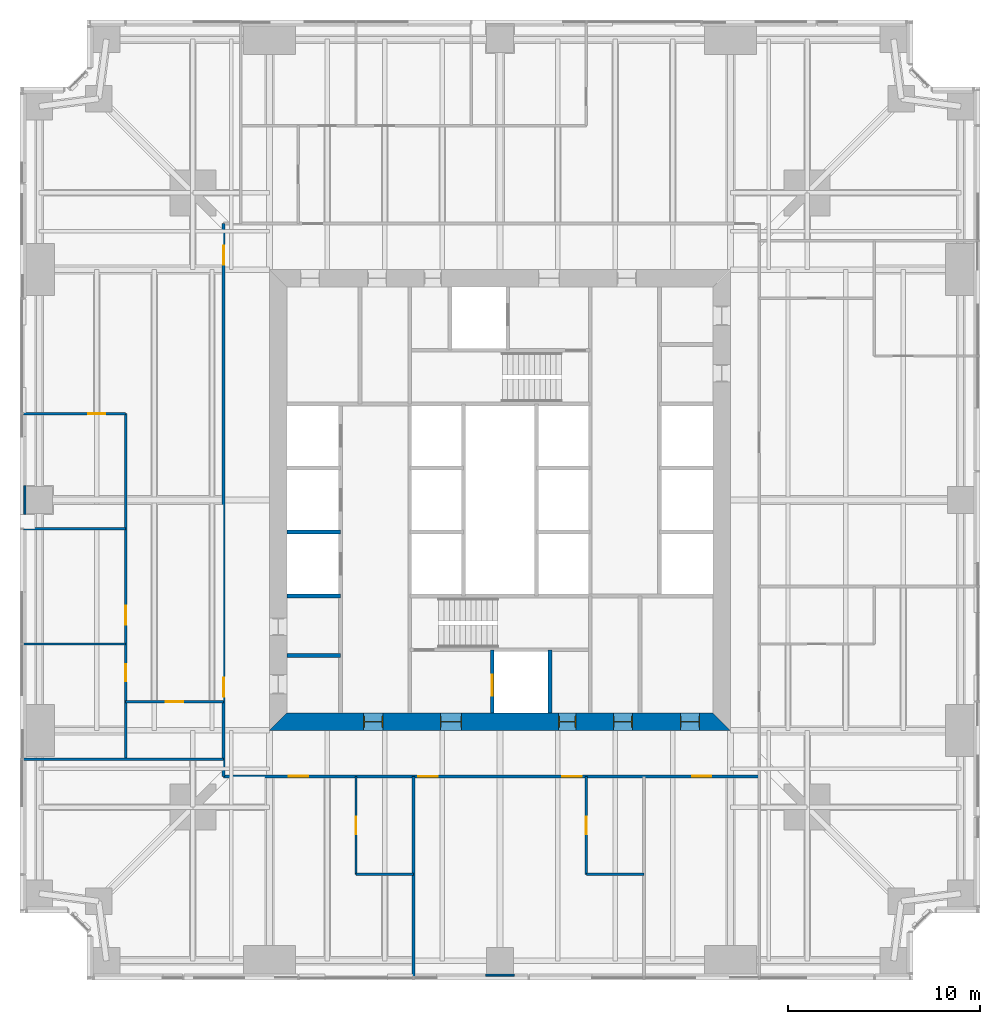
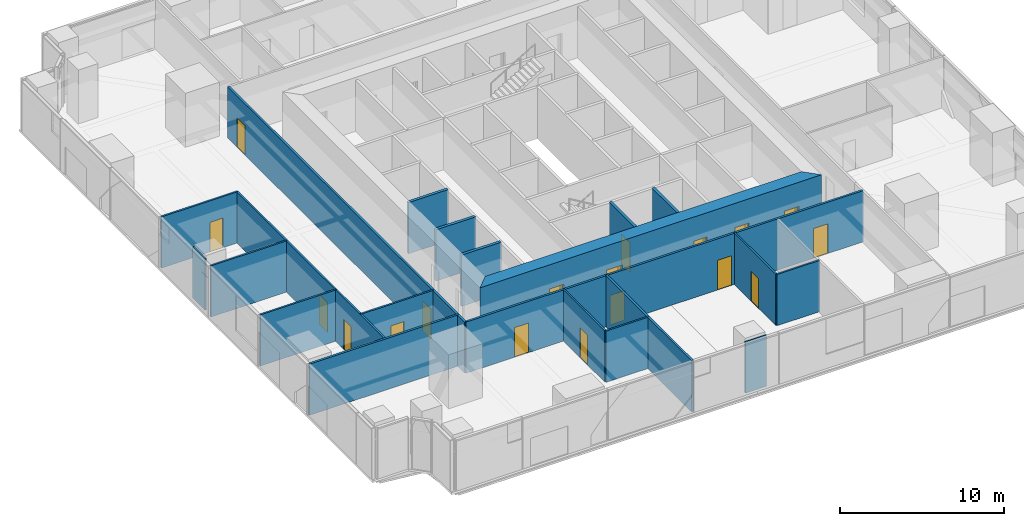
# One storey, part 9 of 14: 21 walls, 18 doors, 18 openings.
"""IFC4 building model written with IfcOpenShell, lengths in metres."""

from ifc_helpers import new_model, si_unit, direction, frame, frame_2d, origin, place, context, subcontext, project, spatial, polyline, rectangle, outline, extrude, material, layer, layer_set, type_object, element, fill, save


model = new_model("IFC4")

# Units and contexts
model_context = context("Model", 3, precision=1e-05, world=origin(), true_north=direction((0.0, 1.0)))
body_context = subcontext(model_context, "Body", "Model", "MODEL_VIEW")
ifc_project = project(units=[si_unit("LENGTHUNIT", "METRE"), si_unit("AREAUNIT", "SQUARE_METRE"), si_unit("VOLUMEUNIT", "CUBIC_METRE"), si_unit("PLANEANGLEUNIT", "RADIAN"), si_unit("MASSUNIT", "GRAM", prefix="KILO")], contexts=[model_context])

# Site, building, storey
site_placement = place(None, origin())
site = spatial("IfcSite", under=ifc_project, at=site_placement, CompositionType="ELEMENT")
building_placement = place(site_placement, origin())
building = spatial("IfcBuilding", under=site, at=building_placement, Name="Fenwick Lantern Interchange", CompositionType="ELEMENT")
storey_placement = place(building_placement, frame((0.0, 0.0, 87.0)))
storey = spatial("IfcBuildingStorey", under=building, at=storey_placement, Name="L20", CompositionType="ELEMENT", Elevation=87.0)

# Walls
ifc_material_1 = material(Name="Fire-rated gypsum board encasement on steel studs, 2 hour", Category="steel")
ifc_layer_1 = layer(ifc_material_1, 1.5)
ifc_layer_set_1 = layer_set([ifc_layer_1], Name="COLUMN PIER 1500")
wall_type_1 = type_object("IfcWallType", Name="COLUMN PIER 1500", PredefinedType="PARTITIONING", material=ifc_layer_set_1)
for number, where, z_axis, x_axis, name in (
    (1, (25.0, 0.199951171875, 0.0), (0.0, 0.0, 1.0), (0.0, 1.0, 0.0), "L20/W/PIER/CS3"),
    (2, (0.199951171875, 25.0, 0.0), (0.0, 0.0, 1.0), (1.0, 0.0, 0.0), "L20/W/PIER/CW3"),
):
    element("IfcWall", number, at=place(storey_placement, frame(where, z_axis=z_axis, x_axis=x_axis)), inside=storey, type_object=wall_type_1, Name=name, PredefinedType="PARTITIONING", context=body_context, shape_type="SweptSolid", body=[
        extrude(rectangle(XDim=0.10009765625, YDim=1.5, at=frame_2d((0.050048828125, 0.0))), origin(), (0.0, 0.0, 1.0), 3.800048828125),
    ])
ifc_material_2 = material(Name="Concrete masonry ASTM C90 Grade N", Category="masonry")
ifc_layer_2 = layer(ifc_material_2, 0.199951171875)
ifc_layer_set_2 = layer_set([ifc_layer_2], Name="Concrete masonry ASTM C90 Grade N")
wall_type_2 = type_object("IfcWallType", Name="CORE PARTITION 200", PredefinedType="PARTITIONING", material=ifc_layer_set_2)
for number, where, z_axis, x_axis, name in (
    (3, (13.89990234375, 20.0, 0.0), (0.0, 0.0, 1.0), (1.0, 0.0, 0.0), "L20/W/CORES/c2"),
    (4, (13.89990234375, 23.333251953125, 0.0), (0.0, 0.0, 1.0), (1.0, 0.0, 0.0), "L20/W/CORES/d1"),
):
    element("IfcWall", number, at=place(storey_placement, frame(where, z_axis=z_axis, x_axis=x_axis)), inside=storey, type_object=wall_type_2, Name=name, PredefinedType="PARTITIONING", context=body_context, shape_type="SweptSolid", body=[
        extrude(rectangle(XDim=2.800048828125, YDim=0.199951171875, at=frame_2d((1.39990234375, 0.0))), origin(), (0.0, 0.0, 1.0), 3.800048828125),
    ])

# Wall, opening, door
wall_1_placement = place(storey_placement, frame((24.60009765625, 13.89990234375, 0.0), z_axis=(0.0, 0.0, 1.0), x_axis=(0.0, 1.0, 0.0)))
wall_1 = element("IfcWall", 5, at=wall_1_placement, inside=storey, type_object=wall_type_2, Name="L20/W/CORES/h1", PredefinedType="PARTITIONING", context=body_context, shape_type="SweptSolid", body=[
    extrude(rectangle(XDim=3.300048828125, YDim=0.199951171875, at=frame_2d((1.64990234375, 0.0))), origin(), (0.0, 0.0, 1.0), 3.800048828125),
])
opening_1_placement = place(wall_1_placement, frame((0.89990234375, 0.0, 0.0)))
opening_1 = element("IfcOpeningElement", 6, at=opening_1_placement, cuts=wall_1, Name="Opening LD-FL1", PredefinedType="OPENING", context=body_context, shape_type="SweptSolid", body=[
    extrude(rectangle(XDim=1.10009765625, YDim=2.199951171875, at=frame_2d((0.550048828125, 1.10009765625))), frame((0.0, 0.10986328125, 0.0), z_axis=(0.0, -1.0, 0.0), x_axis=(1.0, 0.0, 0.0)), (0.0, 0.0, 1.0), 0.219970703125),
])
ifc_material_3 = material(Name="Steel door and frame", Category="steel")
door_type_1 = type_object("IfcDoorType", Name="LIFT LANDING DOOR 1100 X 2200", OperationType="DOUBLE_DOOR_SLIDING", PredefinedType="DOOR", material=ifc_material_3)
door_1_placement = place(opening_1_placement, origin())
door_1 = element("IfcDoor", 7, at=door_1_placement, inside=storey, type_object=door_type_1, Name="Lift landing door FL1", OperationType="DOUBLE_DOOR_SLIDING", OverallHeight=2.199951171875, OverallWidth=1.10009765625, PredefinedType="DOOR", context=body_context, shape_type="SweptSolid", body=[
    extrude(rectangle(XDim=1.10009765625, YDim=2.199951171875, at=frame_2d((0.550048828125, 1.10009765625))), frame((0.0, 0.02490234375, 0.0), z_axis=(0.0, -1.0, 0.0), x_axis=(1.0, 0.0, 0.0)), (0.0, 0.0, 1.0), 0.050048828125),
])
fill(opening_1, door_1)

# Walls
wall_2_placement = place(storey_placement, frame((27.60009765625, 13.89990234375, 0.0), z_axis=(0.0, 0.0, 1.0), x_axis=(0.0, 1.0, 0.0)))
element("IfcWall", 8, at=wall_2_placement, inside=storey, type_object=wall_type_2, Name="L20/W/CORES/h2", PredefinedType="PARTITIONING", context=body_context, shape_type="SweptSolid", body=[
    extrude(rectangle(XDim=3.300048828125, YDim=0.199951171875, at=frame_2d((1.64990234375, 0.0))), origin(), (0.0, 0.0, 1.0), 3.800048828125),
])
wall_3_placement = place(storey_placement, frame((13.89990234375, 16.89990234375, 0.0), z_axis=(0.0, 0.0, 1.0), x_axis=(1.0, 0.0, 0.0)))
element("IfcWall", 9, at=wall_3_placement, inside=storey, type_object=wall_type_2, Name="L20/W/CORES/p1", PredefinedType="PARTITIONING", context=body_context, shape_type="SweptSolid", body=[
    extrude(rectangle(XDim=2.800048828125, YDim=0.199951171875, at=frame_2d((1.39990234375, 0.0))), origin(), (0.0, 0.0, 1.0), 3.800048828125),
])

# Wall, openings, doors
ifc_material_4 = material(Name="Concrete f'c 70 MPa", Category="concrete")
ifc_layer_3 = layer(ifc_material_4, 0.89990234375)
ifc_layer_set_3 = layer_set([ifc_layer_3], Name="CORE WALL 900")
wall_type_3 = type_object("IfcWallType", Name="CORE WALL 900", PredefinedType="SHEAR", material=ifc_layer_set_3)
wall_4_placement = place(storey_placement, frame((13.0, 13.449951171875, 0.0), z_axis=(0.0, 0.0, 1.0), x_axis=(1.0, 0.0, 0.0)))
wall_4 = element("IfcWall", 10, at=wall_4_placement, inside=storey, type_object=wall_type_3, Name="L20/CORE/S", PredefinedType="SHEAR", context=body_context, shape_type="SweptSolid", body=[
    extrude(outline(polyline([(0.0, -0.449951171875), (24.0, -0.449951171875), (23.10009765625, 0.449951171875), (0.89990234375, 0.449951171875), (0.0, -0.449951171875)])), origin(), (0.0, 0.0, 1.0), 4.0),
])
opening_2_placement = place(wall_4_placement, frame((4.89990234375, 0.0, 0.0)))
opening_2 = element("IfcOpeningElement", 11, at=opening_2_placement, cuts=wall_4, Name="Opening L20-D001", PredefinedType="OPENING", context=body_context, shape_type="SweptSolid", body=[
    extrude(rectangle(XDim=1.0, YDim=2.199951171875, at=frame_2d((0.5, 1.10009765625))), frame((0.0, 0.4599609375, 0.0), z_axis=(0.0, -1.0, 0.0), x_axis=(1.0, 0.0, 0.0)), (0.0, 0.0, 1.0), 0.919921875),
])
opening_3_placement = place(wall_4_placement, frame((8.89990234375, 0.0, 0.0)))
opening_3 = element("IfcOpeningElement", 12, at=opening_3_placement, cuts=wall_4, Name="Opening L20-D002", PredefinedType="OPENING", context=body_context, shape_type="SweptSolid", body=[
    extrude(rectangle(XDim=1.10009765625, YDim=2.199951171875, at=frame_2d((0.550048828125, 1.10009765625))), frame((0.0, 0.4599609375, 0.0), z_axis=(0.0, -1.0, 0.0), x_axis=(1.0, 0.0, 0.0)), (0.0, 0.0, 1.0), 0.919921875),
])
opening_4_placement = place(wall_4_placement, frame((15.050048828125, 0.0, 0.0)))
opening_4 = element("IfcOpeningElement", 13, at=opening_4_placement, cuts=wall_4, Name="Opening L20-D004", PredefinedType="OPENING", context=body_context, shape_type="SweptSolid", body=[
    extrude(rectangle(XDim=0.89990234375, YDim=2.199951171875, at=frame_2d((0.449951171875, 1.10009765625))), frame((0.0, 0.4599609375, 0.0), z_axis=(0.0, -1.0, 0.0), x_axis=(1.0, 0.0, 0.0)), (0.0, 0.0, 1.0), 0.919921875),
])
opening_5_placement = place(wall_4_placement, frame((17.89990234375, 0.0, 0.0)))
opening_5 = element("IfcOpeningElement", 14, at=opening_5_placement, cuts=wall_4, Name="Opening L20-D005", PredefinedType="OPENING", context=body_context, shape_type="SweptSolid", body=[
    extrude(rectangle(XDim=1.0, YDim=2.199951171875, at=frame_2d((0.5, 1.10009765625))), frame((0.0, 0.4599609375, 0.0), z_axis=(0.0, -1.0, 0.0), x_axis=(1.0, 0.0, 0.0)), (0.0, 0.0, 1.0), 0.919921875),
])
opening_6_placement = place(wall_4_placement, frame((21.39990234375, 0.0, 0.0)))
opening_6 = element("IfcOpeningElement", 15, at=opening_6_placement, cuts=wall_4, Name="Opening L20-D006", PredefinedType="OPENING", context=body_context, shape_type="SweptSolid", body=[
    extrude(rectangle(XDim=1.0, YDim=2.199951171875, at=frame_2d((0.5, 1.10009765625))), frame((0.0, 0.4599609375, 0.0), z_axis=(0.0, -1.0, 0.0), x_axis=(1.0, 0.0, 0.0)), (0.0, 0.0, 1.0), 0.919921875),
])
door_type_2 = type_object("IfcDoorType", Name="CORE LOBBY DOOR 1000 X 2200", OperationType="SINGLE_SWING_LEFT", PredefinedType="DOOR", material=ifc_material_3)
door_2_placement = place(opening_2_placement, origin())
door_2 = element("IfcDoor", 16, at=door_2_placement, inside=storey, type_object=door_type_2, Name="Core lobby door", OperationType="SINGLE_SWING_LEFT", OverallHeight=2.199951171875, OverallWidth=1.0, PredefinedType="DOOR", context=body_context, shape_type="SweptSolid", body=[
    extrude(rectangle(XDim=1.0, YDim=2.199951171875, at=frame_2d((0.5, 1.10009765625))), frame((0.0, 0.02490234375, 0.0), z_axis=(0.0, -1.0, 0.0), x_axis=(1.0, 0.0, 0.0)), (0.0, 0.0, 1.0), 0.050048828125),
    extrude(outline(polyline([(0.0, 0.0), (0.0400390625, 0.0), (0.0400390625, 2.159912109375), (0.9599609375, 2.159912109375), (0.9599609375, 0.0), (1.0, 0.0), (1.0, 2.199951171875), (0.0, 2.199951171875), (0.0, 0.0)])), frame((0.0, 0.300048828125, 0.0), z_axis=(0.0, -1.0, 0.0), x_axis=(1.0, 0.0, 0.0)), (0.0, 0.0, 1.0), 0.60009765625),
])
fill(opening_2, door_2)
door_type_3 = type_object("IfcDoorType", Name="FIRE LOBBY DOOR 1100 X 2200", OperationType="SINGLE_SWING_LEFT", PredefinedType="DOOR", material=ifc_material_3)
door_3_placement = place(opening_3_placement, origin())
door_3 = element("IfcDoor", 17, at=door_3_placement, inside=storey, type_object=door_type_3, Name="Fire lobby door", OperationType="SINGLE_SWING_LEFT", OverallHeight=2.199951171875, OverallWidth=1.10009765625, PredefinedType="DOOR", context=body_context, shape_type="SweptSolid", body=[
    extrude(rectangle(XDim=1.10009765625, YDim=2.199951171875, at=frame_2d((0.550048828125, 1.10009765625))), frame((0.0, 0.02490234375, 0.0), z_axis=(0.0, -1.0, 0.0), x_axis=(1.0, 0.0, 0.0)), (0.0, 0.0, 1.0), 0.050048828125),
    extrude(outline(polyline([(0.0, 0.0), (0.0400390625, 0.0), (0.0400390625, 2.159912109375), (1.06005859375, 2.159912109375), (1.06005859375, 0.0), (1.10009765625, 0.0), (1.10009765625, 2.199951171875), (0.0, 2.199951171875), (0.0, 0.0)])), frame((0.0, 0.300048828125, 0.0), z_axis=(0.0, -1.0, 0.0), x_axis=(1.0, 0.0, 0.0)), (0.0, 0.0, 1.0), 0.60009765625),
])
fill(opening_3, door_3)
door_type_4 = type_object("IfcDoorType", Name="SERVICE DOOR 900 X 2200", OperationType="SINGLE_SWING_LEFT", PredefinedType="DOOR", material=ifc_material_3)
door_4_placement = place(opening_4_placement, origin())
door_4 = element("IfcDoor", 18, at=door_4_placement, inside=storey, type_object=door_type_4, Name="Service door", OperationType="SINGLE_SWING_LEFT", OverallHeight=2.199951171875, OverallWidth=0.89990234375, PredefinedType="DOOR", context=body_context, shape_type="SweptSolid", body=[
    extrude(rectangle(XDim=0.89990234375, YDim=2.199951171875, at=frame_2d((0.449951171875, 1.10009765625))), frame((0.0, 0.02490234375, 0.0), z_axis=(0.0, -1.0, 0.0), x_axis=(1.0, 0.0, 0.0)), (0.0, 0.0, 1.0), 0.050048828125),
    extrude(outline(polyline([(0.0, 0.0), (0.0400390625, 0.0), (0.0400390625, 2.159912109375), (0.85986328125, 2.159912109375), (0.85986328125, 0.0), (0.89990234375, 0.0), (0.89990234375, 2.199951171875), (0.0, 2.199951171875), (0.0, 0.0)])), frame((0.0, 0.300048828125, 0.0), z_axis=(0.0, -1.0, 0.0), x_axis=(1.0, 0.0, 0.0)), (0.0, 0.0, 1.0), 0.60009765625),
])
fill(opening_4, door_4)
ifc_material_5 = material(Name="Hardwood door and steel frame", Category="steel")
door_type_5 = type_object("IfcDoorType", Name="WC DOOR 1000 X 2200", OperationType="SINGLE_SWING_LEFT", PredefinedType="DOOR", material=ifc_material_5)
door_5_placement = place(opening_5_placement, origin())
door_5 = element("IfcDoor", 19, at=door_5_placement, inside=storey, type_object=door_type_5, Name="Wc door", OperationType="SINGLE_SWING_RIGHT", OverallHeight=2.199951171875, OverallWidth=1.0, PredefinedType="DOOR", context=body_context, shape_type="SweptSolid", body=[
    extrude(rectangle(XDim=1.0, YDim=2.199951171875, at=frame_2d((0.5, 1.10009765625))), frame((0.0, 0.02490234375, 0.0), z_axis=(0.0, -1.0, 0.0), x_axis=(1.0, 0.0, 0.0)), (0.0, 0.0, 1.0), 0.050048828125),
    extrude(outline(polyline([(0.0, 0.0), (0.0400390625, 0.0), (0.0400390625, 2.159912109375), (0.9599609375, 2.159912109375), (0.9599609375, 0.0), (1.0, 0.0), (1.0, 2.199951171875), (0.0, 2.199951171875), (0.0, 0.0)])), frame((0.0, 0.300048828125, 0.0), z_axis=(0.0, -1.0, 0.0), x_axis=(1.0, 0.0, 0.0)), (0.0, 0.0, 1.0), 0.60009765625),
])
fill(opening_5, door_5)
door_6_placement = place(opening_6_placement, origin())
door_6 = element("IfcDoor", 20, at=door_6_placement, inside=storey, type_object=door_type_5, Name="Wc door", OperationType="SINGLE_SWING_RIGHT", OverallHeight=2.199951171875, OverallWidth=1.0, PredefinedType="DOOR", context=body_context, shape_type="SweptSolid", body=[
    extrude(rectangle(XDim=1.0, YDim=2.199951171875, at=frame_2d((0.5, 1.10009765625))), frame((0.0, 0.02490234375, 0.0), z_axis=(0.0, -1.0, 0.0), x_axis=(1.0, 0.0, 0.0)), (0.0, 0.0, 1.0), 0.050048828125),
    extrude(outline(polyline([(0.0, 0.0), (0.0400390625, 0.0), (0.0400390625, 2.159912109375), (0.9599609375, 2.159912109375), (0.9599609375, 0.0), (1.0, 0.0), (1.0, 2.199951171875), (0.0, 2.199951171875), (0.0, 0.0)])), frame((0.0, 0.300048828125, 0.0), z_axis=(0.0, -1.0, 0.0), x_axis=(1.0, 0.0, 0.0)), (0.0, 0.0, 1.0), 0.60009765625),
])
fill(opening_6, door_6)

ifc_material_6 = material(Name="Gypsum board on steel studs, 1 hour", Category="steel")
ifc_layer_4 = layer(ifc_material_6, 0.14990234375)
ifc_layer_set_4 = layer_set([ifc_layer_4], Name="CORRIDOR WALL 150")
wall_type_4 = type_object("IfcWallType", Name="CORRIDOR WALL 150", PredefinedType="PARTITIONING", material=ifc_layer_set_4)
wall_5_placement = place(storey_placement, frame((10.60009765625, 10.60009765625, 0.0), z_axis=(0.0, 0.0, 1.0), x_axis=(1.0, 0.0, 0.0)))
wall_5 = element("IfcWall", 21, at=wall_5_placement, inside=storey, type_object=wall_type_4, Name="L20/W/OFF/S/CW2", PredefinedType="PARTITIONING", context=body_context, shape_type="SweptSolid", body=[
    extrude(rectangle(XDim=27.89990234375, YDim=0.14990234375, at=frame_2d((13.949951171875, 0.0))), origin(), (0.0, 0.0, 1.0), 3.800048828125),
])
opening_7_placement = place(wall_5_placement, frame((3.39990234375, 0.0, 0.0)))
opening_7 = element("IfcOpeningElement", 22, at=opening_7_placement, cuts=wall_5, Name="Opening L20-D017", PredefinedType="OPENING", context=body_context, shape_type="SweptSolid", body=[
    extrude(rectangle(XDim=1.0, YDim=2.199951171875, at=frame_2d((0.5, 1.10009765625))), frame((0.0, 0.0849609375, 0.0), z_axis=(0.0, -1.0, 0.0), x_axis=(1.0, 0.0, 0.0)), (0.0, 0.0, 1.0), 0.169921875),
])
opening_8_placement = place(wall_5_placement, frame((10.14990234375, 0.0, 0.0)))
opening_8 = element("IfcOpeningElement", 23, at=opening_8_placement, cuts=wall_5, Name="Opening L20-D019", PredefinedType="OPENING", context=body_context, shape_type="SweptSolid", body=[
    extrude(rectangle(XDim=1.0, YDim=2.199951171875, at=frame_2d((0.5, 1.10009765625))), frame((0.0, 0.0849609375, 0.0), z_axis=(0.0, -1.0, 0.0), x_axis=(1.0, 0.0, 0.0)), (0.0, 0.0, 1.0), 0.169921875),
])
opening_9_placement = place(wall_5_placement, frame((17.64990234375, 0.0, 0.0)))
opening_9 = element("IfcOpeningElement", 24, at=opening_9_placement, cuts=wall_5, Name="Opening L20-D020", PredefinedType="OPENING", context=body_context, shape_type="SweptSolid", body=[
    extrude(rectangle(XDim=1.0, YDim=2.199951171875, at=frame_2d((0.5, 1.10009765625))), frame((0.0, 0.0849609375, 0.0), z_axis=(0.0, -1.0, 0.0), x_axis=(1.0, 0.0, 0.0)), (0.0, 0.0, 1.0), 0.169921875),
])
opening_10_placement = place(wall_5_placement, frame((24.39990234375, 0.0, 0.0)))
opening_10 = element("IfcOpeningElement", 25, at=opening_10_placement, cuts=wall_5, Name="Opening L20-D022", PredefinedType="OPENING", context=body_context, shape_type="SweptSolid", body=[
    extrude(rectangle(XDim=1.0, YDim=2.199951171875, at=frame_2d((0.5, 1.10009765625))), frame((0.0, 0.0849609375, 0.0), z_axis=(0.0, -1.0, 0.0), x_axis=(1.0, 0.0, 0.0)), (0.0, 0.0, 1.0), 0.169921875),
])
door_type_6 = type_object("IfcDoorType", Name="SUITE ENTRANCE DOOR 1000 X 2200", OperationType="SINGLE_SWING_LEFT", PredefinedType="DOOR", material=ifc_material_3)
door_7_placement = place(opening_7_placement, frame((1.0, 0.0, 0.0), z_axis=(0.0, 0.0, 1.0), x_axis=(-1.0, 0.0, 0.0)))
door_7 = element("IfcDoor", 26, at=door_7_placement, inside=storey, type_object=door_type_6, Name="Suite entrance door", OperationType="SINGLE_SWING_LEFT", OverallHeight=2.199951171875, OverallWidth=1.0, PredefinedType="DOOR", context=body_context, shape_type="SweptSolid", body=[
    extrude(rectangle(XDim=1.0, YDim=2.199951171875, at=frame_2d((0.5, 1.10009765625))), frame((0.0, 0.02490234375, 0.0), z_axis=(0.0, -1.0, 0.0), x_axis=(1.0, 0.0, 0.0)), (0.0, 0.0, 1.0), 0.050048828125),
])
fill(opening_7, door_7)
door_8_placement = place(opening_8_placement, origin())
door_8 = element("IfcDoor", 27, at=door_8_placement, inside=storey, type_object=door_type_6, Name="Suite entrance door", OperationType="SINGLE_SWING_LEFT", OverallHeight=2.199951171875, OverallWidth=1.0, PredefinedType="DOOR", context=body_context, shape_type="SweptSolid", body=[
    extrude(rectangle(XDim=1.0, YDim=2.199951171875, at=frame_2d((0.5, 1.10009765625))), frame((0.0, 0.02490234375, 0.0), z_axis=(0.0, -1.0, 0.0), x_axis=(1.0, 0.0, 0.0)), (0.0, 0.0, 1.0), 0.050048828125),
])
fill(opening_8, door_8)
door_9_placement = place(opening_9_placement, origin())
door_9 = element("IfcDoor", 28, at=door_9_placement, inside=storey, type_object=door_type_6, Name="Suite entrance door", OperationType="SINGLE_SWING_RIGHT", OverallHeight=2.199951171875, OverallWidth=1.0, PredefinedType="DOOR", context=body_context, shape_type="SweptSolid", body=[
    extrude(rectangle(XDim=1.0, YDim=2.199951171875, at=frame_2d((0.5, 1.10009765625))), frame((0.0, 0.02490234375, 0.0), z_axis=(0.0, -1.0, 0.0), x_axis=(1.0, 0.0, 0.0)), (0.0, 0.0, 1.0), 0.050048828125),
])
fill(opening_9, door_9)
door_10_placement = place(opening_10_placement, frame((1.0, 0.0, 0.0), z_axis=(0.0, 0.0, 1.0), x_axis=(-1.0, 0.0, 0.0)))
door_10 = element("IfcDoor", 29, at=door_10_placement, inside=storey, type_object=door_type_6, Name="Suite entrance door", OperationType="SINGLE_SWING_RIGHT", OverallHeight=2.199951171875, OverallWidth=1.0, PredefinedType="DOOR", context=body_context, shape_type="SweptSolid", body=[
    extrude(rectangle(XDim=1.0, YDim=2.199951171875, at=frame_2d((0.5, 1.10009765625))), frame((0.0, 0.02490234375, 0.0), z_axis=(0.0, -1.0, 0.0), x_axis=(1.0, 0.0, 0.0)), (0.0, 0.0, 1.0), 0.050048828125),
])
fill(opening_10, door_10)

wall_6_placement = place(storey_placement, frame((10.60009765625, 39.39990234375, 0.0), z_axis=(0.0, 0.0, 1.0), x_axis=(0.0, -1.0, 0.0)))
wall_6 = element("IfcWall", 30, at=wall_6_placement, inside=storey, type_object=wall_type_4, Name="L20/W/OFF/W/CW2", PredefinedType="PARTITIONING", context=body_context, shape_type="SweptSolid", body=[
    extrude(rectangle(XDim=28.7998046875, YDim=0.14990234375, at=frame_2d((14.39990234375, 0.0))), origin(), (0.0, 0.0, 1.0), 3.800048828125),
])
opening_11_placement = place(wall_6_placement, frame((1.14990234375, 0.0, 0.0)))
opening_11 = element("IfcOpeningElement", 31, at=opening_11_placement, cuts=wall_6, Name="Opening L20-D034", PredefinedType="OPENING", context=body_context, shape_type="SweptSolid", body=[
    extrude(rectangle(XDim=1.0, YDim=2.199951171875, at=frame_2d((0.5, 1.10009765625))), frame((0.0, 0.0849609375, 0.0), z_axis=(0.0, -1.0, 0.0), x_axis=(1.0, 0.0, 0.0)), (0.0, 0.0, 1.0), 0.169921875),
])
opening_12_placement = place(wall_6_placement, frame((23.64990234375, 0.0, 0.0)))
opening_12 = element("IfcOpeningElement", 32, at=opening_12_placement, cuts=wall_6, Name="Opening L20-D035", PredefinedType="OPENING", context=body_context, shape_type="SweptSolid", body=[
    extrude(rectangle(XDim=1.0, YDim=2.199951171875, at=frame_2d((0.5, 1.10009765625))), frame((0.0, 0.0849609375, 0.0), z_axis=(0.0, -1.0, 0.0), x_axis=(1.0, 0.0, 0.0)), (0.0, 0.0, 1.0), 0.169921875),
])
door_11_placement = place(opening_11_placement, origin())
door_11 = element("IfcDoor", 33, at=door_11_placement, inside=storey, type_object=door_type_6, Name="Suite entrance door", OperationType="SINGLE_SWING_LEFT", OverallHeight=2.199951171875, OverallWidth=1.0, PredefinedType="DOOR", context=body_context, shape_type="SweptSolid", body=[
    extrude(rectangle(XDim=1.0, YDim=2.199951171875, at=frame_2d((0.5, 1.10009765625))), frame((0.0, 0.02490234375, 0.0), z_axis=(0.0, -1.0, 0.0), x_axis=(1.0, 0.0, 0.0)), (0.0, 0.0, 1.0), 0.050048828125),
])
fill(opening_11, door_11)
door_12_placement = place(opening_12_placement, origin())
door_12 = element("IfcDoor", 34, at=door_12_placement, inside=storey, type_object=door_type_6, Name="Suite entrance door", OperationType="SINGLE_SWING_RIGHT", OverallHeight=2.199951171875, OverallWidth=1.0, PredefinedType="DOOR", context=body_context, shape_type="SweptSolid", body=[
    extrude(rectangle(XDim=1.0, YDim=2.199951171875, at=frame_2d((0.5, 1.10009765625))), frame((0.0, 0.02490234375, 0.0), z_axis=(0.0, -1.0, 0.0), x_axis=(1.0, 0.0, 0.0)), (0.0, 0.0, 1.0), 0.050048828125),
])
fill(opening_12, door_12)

# Wall, opening, door
ifc_material_7 = material(Name="Gypsum board on steel studs, acoustic", Category="steel")
ifc_layer_5 = layer(ifc_material_7, 0.125)
ifc_layer_set_5 = layer_set([ifc_layer_5], Name="OFFICE PARTITION 125")
wall_type_5 = type_object("IfcWallType", Name="OFFICE PARTITION 125", PredefinedType="PARTITIONING", material=ifc_layer_set_5)
wall_7_placement = place(storey_placement, frame((17.5, 5.5, 0.0), z_axis=(0.0, 0.0, 1.0), x_axis=(0.0, 1.0, 0.0)))
wall_7 = element("IfcWall", 35, at=wall_7_placement, inside=storey, type_object=wall_type_5, Name="L20/W/OFF/S/X175-1", PredefinedType="PARTITIONING", context=body_context, shape_type="SweptSolid", body=[
    extrude(rectangle(XDim=5.10009765625, YDim=0.125, at=frame_2d((2.550048828125, 0.0))), origin(), (0.0, 0.0, 1.0), 3.800048828125),
])
opening_13_placement = place(wall_7_placement, frame((2.10009765625, 0.0, 0.0)))
opening_13 = element("IfcOpeningElement", 36, at=opening_13_placement, cuts=wall_7, Name="Opening L20-D018", PredefinedType="OPENING", context=body_context, shape_type="SweptSolid", body=[
    extrude(rectangle(XDim=0.89990234375, YDim=2.199951171875, at=frame_2d((0.449951171875, 1.10009765625))), frame((0.0, 0.072509765625, 0.0), z_axis=(0.0, -1.0, 0.0), x_axis=(1.0, 0.0, 0.0)), (0.0, 0.0, 1.0), 0.14501953125),
])
door_type_7 = type_object("IfcDoorType", Name="OFFICE DOOR 900 X 2200", OperationType="SINGLE_SWING_LEFT", PredefinedType="DOOR", material=ifc_material_5)
door_13_placement = place(opening_13_placement, frame((0.89990234375, 0.0, 0.0), z_axis=(0.0, 0.0, 1.0), x_axis=(-1.0, 0.0, 0.0)))
door_13 = element("IfcDoor", 37, at=door_13_placement, inside=storey, type_object=door_type_7, Name="Office door", OperationType="SINGLE_SWING_RIGHT", OverallHeight=2.199951171875, OverallWidth=0.89990234375, PredefinedType="DOOR", context=body_context, shape_type="SweptSolid", body=[
    extrude(rectangle(XDim=0.89990234375, YDim=2.199951171875, at=frame_2d((0.449951171875, 1.10009765625))), frame((0.0, 0.02490234375, 0.0), z_axis=(0.0, -1.0, 0.0), x_axis=(1.0, 0.0, 0.0)), (0.0, 0.0, 1.0), 0.050048828125),
])
fill(opening_13, door_13)

wall_8_placement = place(storey_placement, frame((29.5, 5.5, 0.0), z_axis=(0.0, 0.0, 1.0), x_axis=(0.0, 1.0, 0.0)))
wall_8 = element("IfcWall", 38, at=wall_8_placement, inside=storey, type_object=wall_type_5, Name="L20/W/OFF/S/X295-1", PredefinedType="PARTITIONING", context=body_context, shape_type="SweptSolid", body=[
    extrude(rectangle(XDim=5.10009765625, YDim=0.125, at=frame_2d((2.550048828125, 0.0))), origin(), (0.0, 0.0, 1.0), 3.800048828125),
])
opening_14_placement = place(wall_8_placement, frame((2.10009765625, 0.0, 0.0)))
opening_14 = element("IfcOpeningElement", 39, at=opening_14_placement, cuts=wall_8, Name="Opening L20-D021", PredefinedType="OPENING", context=body_context, shape_type="SweptSolid", body=[
    extrude(rectangle(XDim=0.89990234375, YDim=2.199951171875, at=frame_2d((0.449951171875, 1.10009765625))), frame((0.0, 0.072509765625, 0.0), z_axis=(0.0, -1.0, 0.0), x_axis=(1.0, 0.0, 0.0)), (0.0, 0.0, 1.0), 0.14501953125),
])
door_14_placement = place(opening_14_placement, frame((0.89990234375, 0.0, 0.0), z_axis=(0.0, 0.0, 1.0), x_axis=(-1.0, 0.0, 0.0)))
door_14 = element("IfcDoor", 40, at=door_14_placement, inside=storey, type_object=door_type_7, Name="Office door", OperationType="SINGLE_SWING_RIGHT", OverallHeight=2.199951171875, OverallWidth=0.89990234375, PredefinedType="DOOR", context=body_context, shape_type="SweptSolid", body=[
    extrude(rectangle(XDim=0.89990234375, YDim=2.199951171875, at=frame_2d((0.449951171875, 1.10009765625))), frame((0.0, 0.02490234375, 0.0), z_axis=(0.0, -1.0, 0.0), x_axis=(1.0, 0.0, 0.0)), (0.0, 0.0, 1.0), 0.050048828125),
])
fill(opening_14, door_14)

# Walls
for number, where, z_axis, x_axis, name in (
    (41, (17.5, 5.5, 0.0), (0.0, 0.0, 1.0), (1.0, 0.0, 0.0), "L20/W/OFF/S/Y55-1"),
    (42, (29.5, 5.5, 0.0), (0.0, 0.0, 1.0), (1.0, 0.0, 0.0), "L20/W/OFF/S/Y55-2"),
):
    element("IfcWall", number, at=place(storey_placement, frame(where, z_axis=z_axis, x_axis=x_axis)), inside=storey, type_object=wall_type_5, Name=name, PredefinedType="PARTITIONING", context=body_context, shape_type="SweptSolid", body=[
        extrude(rectangle(XDim=3.0, YDim=0.125, at=frame_2d((1.5, 0.0))), origin(), (0.0, 0.0, 1.0), 3.800048828125),
    ])

# Wall, opening, door
wall_9_placement = place(storey_placement, frame((0.14990234375, 29.5, 0.0), z_axis=(0.0, 0.0, 1.0), x_axis=(1.0, 0.0, 0.0)))
wall_9 = element("IfcWall", 43, at=wall_9_placement, inside=storey, type_object=wall_type_5, Name="L20/W/OFF/W/X205-1", PredefinedType="PARTITIONING", context=body_context, shape_type="SweptSolid", body=[
    extrude(rectangle(XDim=5.35009765625, YDim=0.125, at=frame_2d((2.675048828125, 0.0))), origin(), (0.0, 0.0, 1.0), 3.800048828125),
])
opening_15_placement = place(wall_9_placement, frame((3.39990234375, 0.0, 0.0)))
opening_15 = element("IfcOpeningElement", 44, at=opening_15_placement, cuts=wall_9, Name="Opening L20-D036", PredefinedType="OPENING", context=body_context, shape_type="SweptSolid", body=[
    extrude(rectangle(XDim=0.89990234375, YDim=2.199951171875, at=frame_2d((0.449951171875, 1.10009765625))), frame((0.0, 0.072509765625, 0.0), z_axis=(0.0, -1.0, 0.0), x_axis=(1.0, 0.0, 0.0)), (0.0, 0.0, 1.0), 0.14501953125),
])
door_15_placement = place(opening_15_placement, frame((0.89990234375, 0.0, 0.0), z_axis=(0.0, 0.0, 1.0), x_axis=(-1.0, 0.0, 0.0)))
door_15 = element("IfcDoor", 45, at=door_15_placement, inside=storey, type_object=door_type_7, Name="Office door", OperationType="SINGLE_SWING_LEFT", OverallHeight=2.199951171875, OverallWidth=0.89990234375, PredefinedType="DOOR", context=body_context, shape_type="SweptSolid", body=[
    extrude(rectangle(XDim=0.89990234375, YDim=2.199951171875, at=frame_2d((0.449951171875, 1.10009765625))), frame((0.0, 0.02490234375, 0.0), z_axis=(0.0, -1.0, 0.0), x_axis=(1.0, 0.0, 0.0)), (0.0, 0.0, 1.0), 0.050048828125),
])
fill(opening_15, door_15)

# Walls
for number, where, z_axis, x_axis, name in (
    (46, (0.14990234375, 23.5, 0.0), (0.0, 0.0, 1.0), (1.0, 0.0, 0.0), "L20/W/OFF/W/X265-1"),
    (47, (0.14990234375, 17.5, 0.0), (0.0, 0.0, 1.0), (1.0, 0.0, 0.0), "L20/W/OFF/W/X325-1"),
):
    element("IfcWall", number, at=place(storey_placement, frame(where, z_axis=z_axis, x_axis=x_axis)), inside=storey, type_object=wall_type_5, Name=name, PredefinedType="PARTITIONING", context=body_context, shape_type="SweptSolid", body=[
        extrude(rectangle(XDim=5.35009765625, YDim=0.125, at=frame_2d((2.675048828125, 0.0))), origin(), (0.0, 0.0, 1.0), 3.800048828125),
    ])

# Wall, opening, door
wall_10_placement = place(storey_placement, frame((5.5, 14.5, 0.0), z_axis=(0.0, 0.0, 1.0), x_axis=(1.0, 0.0, 0.0)))
wall_10 = element("IfcWall", 48, at=wall_10_placement, inside=storey, type_object=wall_type_5, Name="L20/W/OFF/W/X355-1", PredefinedType="PARTITIONING", context=body_context, shape_type="SweptSolid", body=[
    extrude(rectangle(XDim=5.10009765625, YDim=0.125, at=frame_2d((2.550048828125, 0.0))), origin(), (0.0, 0.0, 1.0), 3.800048828125),
])
opening_16_placement = place(wall_10_placement, frame((2.10009765625, 0.0, 0.0)))
opening_16 = element("IfcOpeningElement", 49, at=opening_16_placement, cuts=wall_10, Name="Opening L20-D039", PredefinedType="OPENING", context=body_context, shape_type="SweptSolid", body=[
    extrude(rectangle(XDim=0.89990234375, YDim=2.199951171875, at=frame_2d((0.449951171875, 1.10009765625))), frame((0.0, 0.072509765625, 0.0), z_axis=(0.0, -1.0, 0.0), x_axis=(1.0, 0.0, 0.0)), (0.0, 0.0, 1.0), 0.14501953125),
])
door_16_placement = place(opening_16_placement, frame((0.89990234375, 0.0, 0.0), z_axis=(0.0, 0.0, 1.0), x_axis=(-1.0, 0.0, 0.0)))
door_16 = element("IfcDoor", 50, at=door_16_placement, inside=storey, type_object=door_type_7, Name="Office door", OperationType="SINGLE_SWING_RIGHT", OverallHeight=2.199951171875, OverallWidth=0.89990234375, PredefinedType="DOOR", context=body_context, shape_type="SweptSolid", body=[
    extrude(rectangle(XDim=0.89990234375, YDim=2.199951171875, at=frame_2d((0.449951171875, 1.10009765625))), frame((0.0, 0.02490234375, 0.0), z_axis=(0.0, -1.0, 0.0), x_axis=(1.0, 0.0, 0.0)), (0.0, 0.0, 1.0), 0.050048828125),
])
fill(opening_16, door_16)

# Wall, openings, doors
wall_11_placement = place(storey_placement, frame((5.5, 29.5, 0.0), z_axis=(0.0, 0.0, 1.0), x_axis=(0.0, -1.0, 0.0)))
wall_11 = element("IfcWall", 51, at=wall_11_placement, inside=storey, type_object=wall_type_5, Name="L20/W/OFF/W/Y55-1", PredefinedType="PARTITIONING", context=body_context, shape_type="SweptSolid", body=[
    extrude(rectangle(XDim=18.0, YDim=0.125, at=frame_2d((9.0, 0.0))), origin(), (0.0, 0.0, 1.0), 3.800048828125),
])
opening_17_placement = place(wall_11_placement, frame((10.0, 0.0, 0.0)))
opening_17 = element("IfcOpeningElement", 52, at=opening_17_placement, cuts=wall_11, Name="Opening L20-D037", PredefinedType="OPENING", context=body_context, shape_type="SweptSolid", body=[
    extrude(rectangle(XDim=1.0, YDim=2.199951171875, at=frame_2d((0.5, 1.10009765625))), frame((0.0, 0.072509765625, 0.0), z_axis=(0.0, -1.0, 0.0), x_axis=(1.0, 0.0, 0.0)), (0.0, 0.0, 1.0), 0.14501953125),
])
opening_18_placement = place(wall_11_placement, frame((13.050048828125, 0.0, 0.0)))
opening_18 = element("IfcOpeningElement", 53, at=opening_18_placement, cuts=wall_11, Name="Opening L20-D038", PredefinedType="OPENING", context=body_context, shape_type="SweptSolid", body=[
    extrude(rectangle(XDim=0.89990234375, YDim=2.199951171875, at=frame_2d((0.449951171875, 1.10009765625))), frame((0.0, 0.072509765625, 0.0), z_axis=(0.0, -1.0, 0.0), x_axis=(1.0, 0.0, 0.0)), (0.0, 0.0, 1.0), 0.14501953125),
])
door_type_8 = type_object("IfcDoorType", Name="MEETING ROOM DOOR 1000 X 2200", OperationType="SINGLE_SWING_LEFT", PredefinedType="DOOR", material=ifc_material_5)
door_17_placement = place(opening_17_placement, frame((1.0, 0.0, 0.0), z_axis=(0.0, 0.0, 1.0), x_axis=(-1.0, 0.0, 0.0)))
door_17 = element("IfcDoor", 54, at=door_17_placement, inside=storey, type_object=door_type_8, Name="Meeting room door", OperationType="SINGLE_SWING_LEFT", OverallHeight=2.199951171875, OverallWidth=1.0, PredefinedType="DOOR", context=body_context, shape_type="SweptSolid", body=[
    extrude(rectangle(XDim=1.0, YDim=2.199951171875, at=frame_2d((0.5, 1.10009765625))), frame((0.0, 0.02490234375, 0.0), z_axis=(0.0, -1.0, 0.0), x_axis=(1.0, 0.0, 0.0)), (0.0, 0.0, 1.0), 0.050048828125),
])
fill(opening_17, door_17)
door_18_placement = place(opening_18_placement, frame((0.89990234375, 0.0, 0.0), z_axis=(0.0, 0.0, 1.0), x_axis=(-1.0, 0.0, 0.0)))
door_18 = element("IfcDoor", 55, at=door_18_placement, inside=storey, type_object=door_type_7, Name="Office door", OperationType="SINGLE_SWING_RIGHT", OverallHeight=2.199951171875, OverallWidth=0.89990234375, PredefinedType="DOOR", context=body_context, shape_type="SweptSolid", body=[
    extrude(rectangle(XDim=0.89990234375, YDim=2.199951171875, at=frame_2d((0.449951171875, 1.10009765625))), frame((0.0, 0.02490234375, 0.0), z_axis=(0.0, -1.0, 0.0), x_axis=(1.0, 0.0, 0.0)), (0.0, 0.0, 1.0), 0.050048828125),
])
fill(opening_18, door_18)

# Walls
ifc_material_8 = material(Name="Gypsum board on steel studs, 1 hour acoustic", Category="steel")
ifc_layer_6 = layer(ifc_material_8, 0.14990234375)
ifc_layer_set_6 = layer_set([ifc_layer_6], Name="TENANT WALL 150")
wall_type_6 = type_object("IfcWallType", Name="TENANT WALL 150", PredefinedType="PARTITIONING", material=ifc_layer_set_6)
for number, where, z_axis, x_axis, name in (
    (56, (0.14990234375, 11.5, 0.0), (0.0, 0.0, 1.0), (1.0, 0.0, 0.0), "L20/W/OFF/S/BACK"),
    (57, (20.5, 0.14990234375, 0.0), (0.0, 0.0, 1.0), (0.0, 1.0, 0.0), "L20/W/OFF/S/X205-1"),
):
    element("IfcWall", number, at=place(storey_placement, frame(where, z_axis=z_axis, x_axis=x_axis)), inside=storey, type_object=wall_type_6, Name=name, PredefinedType="PARTITIONING", context=body_context, shape_type="SweptSolid", body=[
        extrude(rectangle(XDim=10.4501953125, YDim=0.14990234375, at=frame_2d((5.22509765625, 0.0))), origin(), (0.0, 0.0, 1.0), 3.800048828125),
    ])

save(model, "model.ifc")
